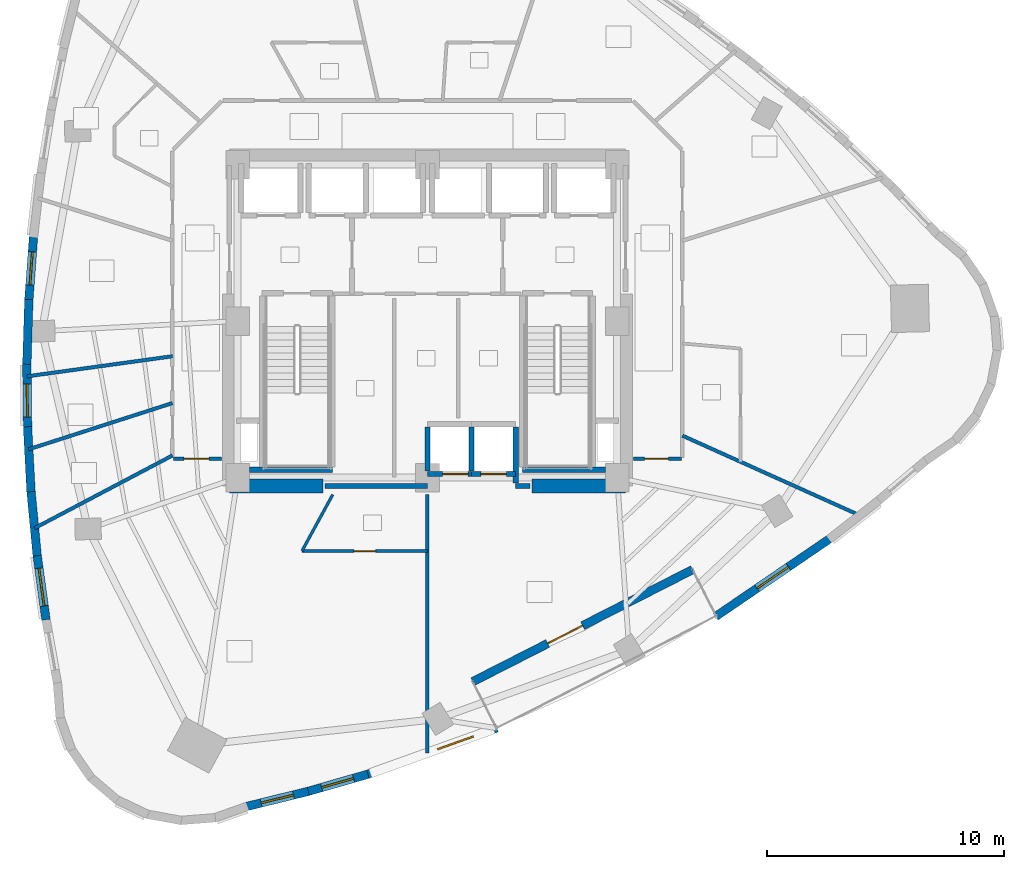
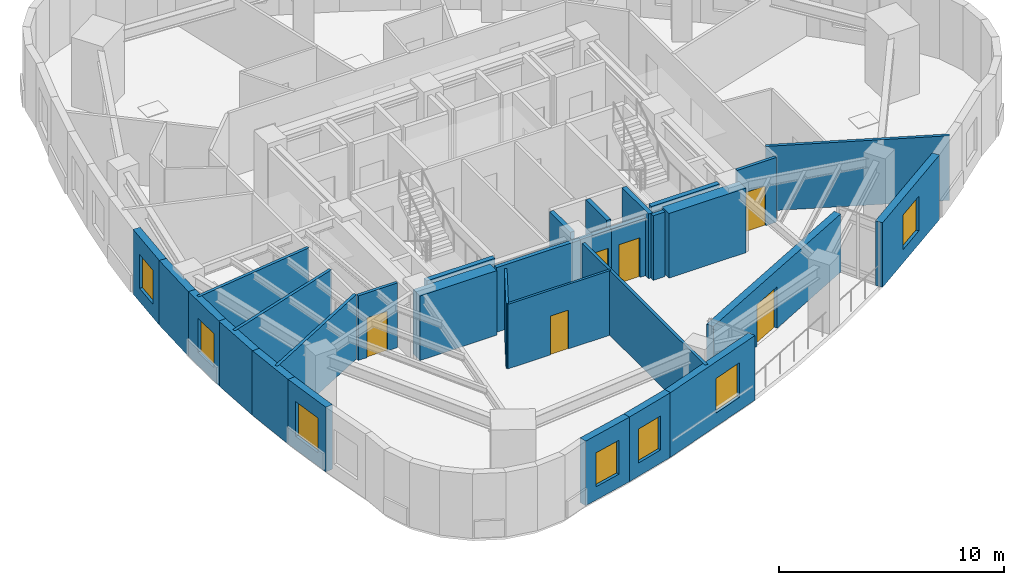
# One storey, part 5 of 11: 31 walls, 7 windows, 6 doors, 13 openings.
"""IFC4 building model written with IfcOpenShell, lengths in metres."""

from ifc_helpers import new_model, si_unit, direction, frame, frame_2d, origin, place, context, subcontext, project, spatial, rectangle, extrude, material, layer, layer_set, type_object, element, fill, save


model = new_model("IFC4")

# Units and contexts
model_context = context("Model", 3, precision=1e-05, world=origin(), true_north=direction((0.0, 1.0)))
body_context = subcontext(model_context, "Body", "Model", "MODEL_VIEW")
ifc_project = project(units=[si_unit("LENGTHUNIT", "METRE"), si_unit("AREAUNIT", "SQUARE_METRE"), si_unit("VOLUMEUNIT", "CUBIC_METRE"), si_unit("PLANEANGLEUNIT", "RADIAN"), si_unit("MASSUNIT", "GRAM", prefix="KILO")], contexts=[model_context])

# Site, building, storey
site_placement = place(None, origin())
site = spatial("IfcSite", under=ifc_project, at=site_placement, CompositionType="ELEMENT")
building_placement = place(site_placement, origin())
building = spatial("IfcBuilding", under=site, at=building_placement, Name="Ndelora Gate Hotel", CompositionType="ELEMENT")
storey_placement = place(building_placement, frame((0.0, 0.0, 116.0)))
storey = spatial("IfcBuildingStorey", under=building, at=storey_placement, Name="L28", CompositionType="ELEMENT", Elevation=116.0)

# Wall, opening, door
ifc_material_1 = material(Name="Clay Brick Masonry", Category="masonry")
ifc_layer_1 = layer(ifc_material_1, 0.360107421875)
ifc_layer_set_1 = layer_set([ifc_layer_1], Name="Clay Brick Masonry")
wall_type_1 = type_object("IfcWallType", Name="WL-BRICK-360", PredefinedType="SOLIDWALL", material=ifc_layer_set_1)
wall_1_placement = place(storey_placement, frame((11.177734375, -10.483642578125, 0.0), z_axis=(0.0, 0.0, 1.0), x_axis=(-0.891006889171, -0.453989783419, 0.0)))
wall_1 = element("IfcWall", 1, at=wall_1_placement, inside=storey, type_object=wall_type_1, Name="L28 Sky-Garden Loggia Rear Brick Wall", PredefinedType="SOLIDWALL", context=body_context, shape_type="SweptSolid", body=[
    extrude(rectangle(XDim=10.39990234375, YDim=0.360107421875, at=frame_2d((5.199951171875, 0.0))), origin(), (0.0, 0.0, 1.0), 3.14990234375),
])
opening_1_placement = place(wall_1_placement, frame((5.199951171875, 0.0, 0.0)))
opening_1 = element("IfcOpeningElement", 2, at=opening_1_placement, cuts=wall_1, Name="Opening TD1", PredefinedType="OPENING", context=body_context, shape_type="SweptSolid", body=[
    extrude(rectangle(XDim=1.64990234375, YDim=2.25, at=frame_2d((0.824951171875, 1.125))), frame((0.0, 0.18994140625, 0.0), z_axis=(0.0, -1.0, 0.0), x_axis=(1.0, 0.0, 0.0)), (0.0, 0.0, 1.0), 0.380126953125),
])
ifc_material_2 = material(Name="Architectural Bronze Glazed Door", Category="metal")
door_type_1 = type_object("IfcDoorType", Name="DR-TER-1650", OperationType="DOUBLE_DOOR_SINGLE_SWING", PredefinedType="DOOR", material=ifc_material_2)
door_1_placement = place(opening_1_placement, origin())
door_1 = element("IfcDoor", 3, at=door_1_placement, inside=storey, type_object=door_type_1, Name="L28 Sky-Garden Terrace Double Door TD1", OperationType="DOUBLE_DOOR_SINGLE_SWING", OverallHeight=2.25, OverallWidth=1.64990234375, PredefinedType="DOOR", context=body_context, shape_type="SweptSolid", body=[
    extrude(rectangle(XDim=1.64990234375, YDim=2.25, at=frame_2d((0.824951171875, 1.125))), frame((0.0, 0.02490234375, 0.0), z_axis=(0.0, -1.0, 0.0), x_axis=(1.0, 0.0, 0.0)), (0.0, 0.0, 1.0), 0.050048828125),
])
fill(opening_1, door_1)

# Wall, opening, window
wall_2_placement = place(storey_placement, frame((-16.808837890625, 0.85595703125, 0.0), z_axis=(0.0, 0.0, 1.0), x_axis=(0.07352900805, 0.997293078776, 0.0)))
wall_2 = element("IfcWall", 4, at=wall_2_placement, inside=storey, type_object=wall_type_1, Name="L28 Tower Brick Pier-and-Spandrel Wall TWR-14", PredefinedType="SOLIDWALL", context=body_context, shape_type="SweptSolid", body=[
    extrude(rectangle(XDim=2.729248046875, YDim=0.360107421875, at=frame_2d((1.36474609375, 0.0))), origin(), (0.0, 0.0, 1.0), 3.5),
])
opening_2_placement = place(wall_2_placement, frame((0.664794921875, 0.0, 0.719970703125)))
opening_2 = element("IfcOpeningElement", 5, at=opening_2_placement, cuts=wall_2, Name="Opening W02", PredefinedType="OPENING", context=body_context, shape_type="SweptSolid", body=[
    extrude(rectangle(XDim=1.39990234375, YDim=1.840087890625, at=frame_2d((0.699951171875, 0.919921875))), frame((0.0, 0.18994140625, 0.0), z_axis=(0.0, -1.0, 0.0), x_axis=(1.0, 0.0, 0.0)), (0.0, 0.0, 1.0), 0.380126953125),
])
ifc_material_3 = material(Name="Insulated Low-E Double Glazing in Bronze Aluminium Frame", Category="aluminium")
window_type_1 = type_object("IfcWindowType", Name="WN-DEEP-1400", PartitioningType="SINGLE_PANEL", PredefinedType="WINDOW", material=ifc_material_3)
window_1_placement = place(opening_2_placement, origin())
window_1 = element("IfcWindow", 6, at=window_1_placement, inside=storey, type_object=window_type_1, Name="L28 Deep-Set Brick-Pier Window W02", OverallHeight=1.840087890625, OverallWidth=1.39990234375, PartitioningType="SINGLE_PANEL", PredefinedType="WINDOW", context=body_context, shape_type="SweptSolid", body=[
    extrude(rectangle(XDim=1.39990234375, YDim=1.840087890625, at=frame_2d((0.699951171875, 0.919921875))), frame((0.0, 0.030029296875, 0.0), z_axis=(0.0, -1.0, 0.0), x_axis=(1.0, 0.0, 0.0)), (0.0, 0.0, 1.0), 0.06005859375),
])
fill(opening_2, window_1)

# Wall
wall_3_placement = place(storey_placement, frame((-16.89111328125, -1.822509765625, 0.0), z_axis=(0.0, 0.0, 1.0), x_axis=(0.031036495161, 0.999518251943, 0.0)))
element("IfcWall", 7, at=wall_3_placement, inside=storey, type_object=wall_type_1, Name="L28 Tower Brick Pier-and-Spandrel Wall TWR-15", PredefinedType="SOLIDWALL", context=body_context, shape_type="SweptSolid", body=[
    extrude(rectangle(XDim=2.7294921875, YDim=0.360107421875, at=frame_2d((1.36474609375, 0.0))), origin(), (0.0, 0.0, 1.0), 3.5),
])

# Wall, opening, window
wall_4_placement = place(storey_placement, frame((-16.859619140625, -4.506591796875, 0.0), z_axis=(0.0, 0.0, 1.0), x_axis=(-0.011339569117, 0.999935705019, 0.0)))
wall_4 = element("IfcWall", 8, at=wall_4_placement, inside=storey, type_object=wall_type_1, Name="L28 Tower Brick Pier-and-Spandrel Wall TWR-16", PredefinedType="SOLIDWALL", context=body_context, shape_type="SweptSolid", body=[
    extrude(rectangle(XDim=2.734375, YDim=0.360107421875, at=frame_2d((1.3671875, 0.0))), origin(), (0.0, 0.0, 1.0), 3.5),
])
opening_3_placement = place(wall_4_placement, frame((0.4599609375, 0.0, 0.719970703125)))
opening_3 = element("IfcOpeningElement", 9, at=opening_3_placement, cuts=wall_4, Name="Opening W02", PredefinedType="OPENING", context=body_context, shape_type="SweptSolid", body=[
    extrude(rectangle(XDim=1.39990234375, YDim=1.840087890625, at=frame_2d((0.699951171875, 0.919921875))), frame((0.0, 0.18994140625, 0.0), z_axis=(0.0, -1.0, 0.0), x_axis=(1.0, 0.0, 0.0)), (0.0, 0.0, 1.0), 0.380126953125),
])
window_2_placement = place(opening_3_placement, origin())
window_2 = element("IfcWindow", 10, at=window_2_placement, inside=storey, type_object=window_type_1, Name="L28 Deep-Set Brick-Pier Window W02", OverallHeight=1.840087890625, OverallWidth=1.39990234375, PartitioningType="SINGLE_PANEL", PredefinedType="WINDOW", context=body_context, shape_type="SweptSolid", body=[
    extrude(rectangle(XDim=1.39990234375, YDim=1.840087890625, at=frame_2d((0.699951171875, 0.919921875))), frame((0.0, 0.030029296875, 0.0), z_axis=(0.0, -1.0, 0.0), x_axis=(1.0, 0.0, 0.0)), (0.0, 0.0, 1.0), 0.06005859375),
])
fill(opening_3, window_2)

# Walls
wall_5_placement = place(storey_placement, frame((-16.714599609375, -7.19677734375, 0.0), z_axis=(0.0, 0.0, 1.0), x_axis=(-0.053474125499, 0.998569235407, 0.0)))
element("IfcWall", 11, at=wall_5_placement, inside=storey, type_object=wall_type_1, Name="L28 Tower Brick Pier-and-Spandrel Wall TWR-17", PredefinedType="SOLIDWALL", context=body_context, shape_type="SweptSolid", body=[
    extrude(rectangle(XDim=2.743896484375, YDim=0.360107421875, at=frame_2d((1.3720703125, 0.0))), origin(), (0.0, 0.0, 1.0), 3.5),
])
wall_6_placement = place(storey_placement, frame((-16.455810546875, -9.892822265625, 0.0), z_axis=(0.0, 0.0, 1.0), x_axis=(-0.095147411159, 0.99546319377, 0.0)))
element("IfcWall", 12, at=wall_6_placement, inside=storey, type_object=wall_type_1, Name="L28 Tower Brick Pier-and-Spandrel Wall TWR-18", PredefinedType="SOLIDWALL", context=body_context, shape_type="SweptSolid", body=[
    extrude(rectangle(XDim=2.75830078125, YDim=0.360107421875, at=frame_2d((1.379150390625, 0.0))), origin(), (0.0, 0.0, 1.0), 3.5),
])

# Wall, opening, window
wall_7_placement = place(storey_placement, frame((-16.0830078125, -12.594970703125, 0.0), z_axis=(0.0, 0.0, 1.0), x_axis=(-0.136238828404, 0.99067602254, 0.0)))
wall_7 = element("IfcWall", 13, at=wall_7_placement, inside=storey, type_object=wall_type_1, Name="L28 Tower Brick Pier-and-Spandrel Wall TWR-19", PredefinedType="SOLIDWALL", context=body_context, shape_type="SweptSolid", body=[
    extrude(rectangle(XDim=2.777587890625, YDim=0.360107421875, at=frame_2d((1.388671875, 0.0))), origin(), (0.0, 0.0, 1.0), 3.5),
])
opening_4_placement = place(wall_7_placement, frame((0.5888671875, 0.0, 0.719970703125)))
opening_4 = element("IfcOpeningElement", 14, at=opening_4_placement, cuts=wall_7, Name="Opening W01", PredefinedType="OPENING", context=body_context, shape_type="SweptSolid", body=[
    extrude(rectangle(XDim=1.60009765625, YDim=1.8798828125, at=frame_2d((0.800048828125, 0.93994140625))), frame((0.0, 0.18994140625, 0.0), z_axis=(0.0, -1.0, 0.0), x_axis=(1.0, 0.0, 0.0)), (0.0, 0.0, 1.0), 0.380126953125),
])
window_type_2 = type_object("IfcWindowType", Name="WN-DEEP-1600", PartitioningType="SINGLE_PANEL", PredefinedType="WINDOW", material=ifc_material_3)
window_3_placement = place(opening_4_placement, origin())
window_3 = element("IfcWindow", 15, at=window_3_placement, inside=storey, type_object=window_type_2, Name="L28 Deep-Set Brick-Pier Window W01", OverallHeight=1.8798828125, OverallWidth=1.60009765625, PartitioningType="SINGLE_PANEL", PredefinedType="WINDOW", context=body_context, shape_type="SweptSolid", body=[
    extrude(rectangle(XDim=1.60009765625, YDim=1.8798828125, at=frame_2d((0.800048828125, 0.93994140625))), frame((0.0, 0.030029296875, 0.0), z_axis=(0.0, -1.0, 0.0), x_axis=(1.0, 0.0, 0.0)), (0.0, 0.0, 1.0), 0.06005859375),
])
fill(opening_4, window_3)

wall_8_placement = place(storey_placement, frame((-5.02197265625, -19.830810546875, 0.0), z_axis=(0.0, 0.0, 1.0), x_axis=(-0.971174008504, -0.23837165353, 0.0)))
wall_8 = element("IfcWall", 16, at=wall_8_placement, inside=storey, type_object=wall_type_1, Name="L28 Tower Brick Pier-and-Spandrel Wall TWR-29", PredefinedType="SOLIDWALL", context=body_context, shape_type="SweptSolid", body=[
    extrude(rectangle(XDim=2.691650390625, YDim=0.360107421875, at=frame_2d((1.345703125, 0.0))), origin(), (0.0, 0.0, 1.0), 3.5),
])
opening_5_placement = place(wall_8_placement, frame((0.645751953125, 0.0, 0.719970703125)))
opening_5 = element("IfcOpeningElement", 17, at=opening_5_placement, cuts=wall_8, Name="Opening W02", PredefinedType="OPENING", context=body_context, shape_type="SweptSolid", body=[
    extrude(rectangle(XDim=1.39990234375, YDim=1.840087890625, at=frame_2d((0.699951171875, 0.919921875))), frame((0.0, 0.18994140625, 0.0), z_axis=(0.0, -1.0, 0.0), x_axis=(1.0, 0.0, 0.0)), (0.0, 0.0, 1.0), 0.380126953125),
])
window_4_placement = place(opening_5_placement, origin())
window_4 = element("IfcWindow", 18, at=window_4_placement, inside=storey, type_object=window_type_1, Name="L28 Deep-Set Brick-Pier Window W02", OverallHeight=1.840087890625, OverallWidth=1.39990234375, PartitioningType="SINGLE_PANEL", PredefinedType="WINDOW", context=body_context, shape_type="SweptSolid", body=[
    extrude(rectangle(XDim=1.39990234375, YDim=1.840087890625, at=frame_2d((0.699951171875, 0.919921875))), frame((0.0, 0.030029296875, 0.0), z_axis=(0.0, -1.0, 0.0), x_axis=(1.0, 0.0, 0.0)), (0.0, 0.0, 1.0), 0.06005859375),
])
fill(opening_5, window_4)

wall_9_placement = place(storey_placement, frame((-2.50439453125, -19.1064453125, 0.0), z_axis=(0.0, 0.0, 1.0), x_axis=(-0.961133025001, -0.276085690055, 0.0)))
wall_9 = element("IfcWall", 19, at=wall_9_placement, inside=storey, type_object=wall_type_1, Name="L28 Tower Brick Pier-and-Spandrel Wall TWR-30", PredefinedType="SOLIDWALL", context=body_context, shape_type="SweptSolid", body=[
    extrude(rectangle(XDim=2.669677734375, YDim=0.360107421875, at=frame_2d((1.3349609375, 0.0))), origin(), (0.0, 0.0, 1.0), 3.5),
])
opening_6_placement = place(wall_9_placement, frame((0.635009765625, 0.0, 0.719970703125)))
opening_6 = element("IfcOpeningElement", 20, at=opening_6_placement, cuts=wall_9, Name="Opening W02", PredefinedType="OPENING", context=body_context, shape_type="SweptSolid", body=[
    extrude(rectangle(XDim=1.39990234375, YDim=1.840087890625, at=frame_2d((0.699951171875, 0.919921875))), frame((0.0, 0.18994140625, 0.0), z_axis=(0.0, -1.0, 0.0), x_axis=(1.0, 0.0, 0.0)), (0.0, 0.0, 1.0), 0.380126953125),
])
window_5_placement = place(opening_6_placement, origin())
window_5 = element("IfcWindow", 21, at=window_5_placement, inside=storey, type_object=window_type_1, Name="L28 Deep-Set Brick-Pier Window W02", OverallHeight=1.840087890625, OverallWidth=1.39990234375, PartitioningType="SINGLE_PANEL", PredefinedType="WINDOW", context=body_context, shape_type="SweptSolid", body=[
    extrude(rectangle(XDim=1.39990234375, YDim=1.840087890625, at=frame_2d((0.699951171875, 0.919921875))), frame((0.0, 0.030029296875, 0.0), z_axis=(0.0, -1.0, 0.0), x_axis=(1.0, 0.0, 0.0)), (0.0, 0.0, 1.0), 0.06005859375),
])
fill(opening_6, window_5)

wall_10_placement = place(storey_placement, frame((2.93359375, -17.156982421875, 0.0), z_axis=(0.0, 0.0, 1.0), x_axis=(-0.941431533916, -0.337204191773, 0.0)))
wall_10 = element("IfcWall", 22, at=wall_10_placement, inside=storey, type_object=wall_type_1, Name="L28 Tower Brick Pier-and-Spandrel Wall TWR-31", PredefinedType="SOLIDWALL", context=body_context, shape_type="SweptSolid", body=[
    extrude(rectangle(XDim=5.826904296875, YDim=0.360107421875, at=frame_2d((2.91357421875, 0.0))), origin(), (0.0, 0.0, 1.0), 3.5),
])
opening_7_placement = place(wall_10_placement, frame((1.06005859375, 0.0, 0.719970703125)))
opening_7 = element("IfcOpeningElement", 23, at=opening_7_placement, cuts=wall_10, Name="Opening W01", PredefinedType="OPENING", context=body_context, shape_type="SweptSolid", body=[
    extrude(rectangle(XDim=1.60009765625, YDim=1.8798828125, at=frame_2d((0.800048828125, 0.93994140625))), frame((0.0, 0.18994140625, 0.0), z_axis=(0.0, -1.0, 0.0), x_axis=(1.0, 0.0, 0.0)), (0.0, 0.0, 1.0), 0.380126953125),
])
window_6_placement = place(opening_7_placement, origin())
window_6 = element("IfcWindow", 24, at=window_6_placement, inside=storey, type_object=window_type_2, Name="L28 Deep-Set Brick-Pier Window W01", OverallHeight=1.8798828125, OverallWidth=1.60009765625, PartitioningType="SINGLE_PANEL", PredefinedType="WINDOW", context=body_context, shape_type="SweptSolid", body=[
    extrude(rectangle(XDim=1.60009765625, YDim=1.8798828125, at=frame_2d((0.800048828125, 0.93994140625))), frame((0.0, 0.030029296875, 0.0), z_axis=(0.0, -1.0, 0.0), x_axis=(1.0, 0.0, 0.0)), (0.0, 0.0, 1.0), 0.06005859375),
])
fill(opening_7, window_6)

wall_11_placement = place(storey_placement, frame((16.969970703125, -9.1748046875, 0.0), z_axis=(0.0, 0.0, 1.0), x_axis=(-0.826151102753, -0.563448627134, 0.0)))
wall_11 = element("IfcWall", 25, at=wall_11_placement, inside=storey, type_object=wall_type_1, Name="L28 Tower Brick Pier-and-Spandrel Wall TWR-36", PredefinedType="SOLIDWALL", context=body_context, shape_type="SweptSolid", body=[
    extrude(rectangle(XDim=5.826904296875, YDim=0.360107421875, at=frame_2d((2.91357421875, 0.0))), origin(), (0.0, 0.0, 1.0), 3.5),
])
opening_8_placement = place(wall_11_placement, frame((2.11328125, 0.0, 0.719970703125)))
opening_8 = element("IfcOpeningElement", 26, at=opening_8_placement, cuts=wall_11, Name="Opening W01", PredefinedType="OPENING", context=body_context, shape_type="SweptSolid", body=[
    extrude(rectangle(XDim=1.60009765625, YDim=1.8798828125, at=frame_2d((0.800048828125, 0.93994140625))), frame((0.0, 0.18994140625, 0.0), z_axis=(0.0, -1.0, 0.0), x_axis=(1.0, 0.0, 0.0)), (0.0, 0.0, 1.0), 0.380126953125),
])
window_7_placement = place(opening_8_placement, origin())
window_7 = element("IfcWindow", 27, at=window_7_placement, inside=storey, type_object=window_type_2, Name="L28 Deep-Set Brick-Pier Window W01", OverallHeight=1.8798828125, OverallWidth=1.60009765625, PartitioningType="SINGLE_PANEL", PredefinedType="WINDOW", context=body_context, shape_type="SweptSolid", body=[
    extrude(rectangle(XDim=1.60009765625, YDim=1.8798828125, at=frame_2d((0.800048828125, 0.93994140625))), frame((0.0, 0.030029296875, 0.0), z_axis=(0.0, -1.0, 0.0), x_axis=(1.0, 0.0, 0.0)), (0.0, 0.0, 1.0), 0.06005859375),
])
fill(opening_8, window_7)

# Walls
ifc_material_4 = material(Name="Concrete C60/75", Category="concrete")
ifc_layer_2 = layer(ifc_material_4, 0.60009765625)
ifc_layer_set_2 = layer_set([ifc_layer_2], Name="Concrete C60/75")
wall_type_2 = type_object("IfcWallType", Name="WL-CORE-600", PredefinedType="SHEAR", material=ifc_layer_set_2)
for number, where, z_axis, x_axis, name in (
    (28, (-8.35009765625, -6.949951171875, 0.0), (0.0, 0.0, 1.0), (1.0, 0.0, 0.0), "L28 Core Shear Wall S-W"),
    (29, (4.39990234375, -6.949951171875, 0.0), (0.0, 0.0, 1.0), (1.0, 0.0, 0.0), "L28 Core Shear Wall S-E"),
):
    element("IfcWall", number, at=place(storey_placement, frame(where, z_axis=z_axis, x_axis=x_axis)), inside=storey, type_object=wall_type_2, Name=name, PredefinedType="SHEAR", context=body_context, shape_type="SweptSolid", body=[
        extrude(rectangle(XDim=3.9501953125, YDim=0.60009765625, at=frame_2d((1.97509765625, 0.0))), origin(), (0.0, 0.0, 1.0), 3.5),
    ])
ifc_material_5 = material(Name="Concrete C40/50", Category="concrete")
ifc_layer_3 = layer(ifc_material_5, 0.199951171875)
ifc_layer_set_3 = layer_set([ifc_layer_3], Name="Concrete C40/50")
wall_type_3 = type_object("IfcWallType", Name="WL-FIRE-200", PredefinedType="PARTITIONING", material=ifc_layer_set_3)
wall_12_placement = place(storey_placement, frame((-4.320068359375, -6.949951171875, 0.0), z_axis=(0.0, 0.0, 1.0), x_axis=(1.0, 0.0, 0.0)))
element("IfcWall", 30, at=wall_12_placement, inside=storey, type_object=wall_type_3, Name="L28 Interior Wall IW-2", PredefinedType="PARTITIONING", context=body_context, shape_type="SweptSolid", body=[
    extrude(rectangle(XDim=4.320068359375, YDim=0.199951171875, at=frame_2d((2.16015625, 0.0))), origin(), (0.0, 0.0, 1.0), 3.5),
])
wall_13_placement = place(storey_placement, frame((3.719970703125, -6.949951171875, 0.0), z_axis=(0.0, 0.0, 1.0), x_axis=(1.0, 0.0, 0.0)))
element("IfcWall", 31, at=wall_13_placement, inside=storey, type_object=wall_type_3, Name="L28 Interior Wall IW-2", PredefinedType="PARTITIONING", context=body_context, shape_type="SweptSolid", body=[
    extrude(rectangle(XDim=0.60009765625, YDim=0.199951171875, at=frame_2d((0.300048828125, 0.0))), origin(), (0.0, 0.0, 1.0), 3.5),
])

# Wall, opening, door
ifc_material_6 = material(Name="Fire-Rated Gypsum Stud Partition", Category="gypsum")
ifc_layer_4 = layer(ifc_material_6, 0.14990234375)
ifc_layer_set_4 = layer_set([ifc_layer_4], Name="Fire-Rated Gypsum Stud Partition")
wall_type_4 = type_object("IfcWallType", Name="WL-PART-150", PredefinedType="PARTITIONING", material=ifc_layer_set_4)
wall_14_placement = place(storey_placement, frame((-8.68994140625, -5.800048828125, 0.0), z_axis=(0.0, 0.0, 1.0), x_axis=(-1.0, 0.0, 0.0)))
wall_14 = element("IfcWall", 32, at=wall_14_placement, inside=storey, type_object=wall_type_4, Name="L28 Interior Wall IW-5", PredefinedType="PARTITIONING", context=body_context, shape_type="SweptSolid", body=[
    extrude(rectangle(XDim=2.02001953125, YDim=0.14990234375, at=frame_2d((1.010009765625, 0.0))), origin(), (0.0, 0.0, 1.0), 3.5),
])
opening_9_placement = place(wall_14_placement, frame((0.52001953125, 0.0, 0.0)))
opening_9 = element("IfcOpeningElement", 33, at=opening_9_placement, cuts=wall_14, Name="Opening D07", PredefinedType="OPENING", context=body_context, shape_type="SweptSolid", body=[
    extrude(rectangle(XDim=1.06005859375, YDim=2.14990234375, at=frame_2d((0.530029296875, 1.074951171875))), frame((0.0, 0.0849609375, 0.0), z_axis=(0.0, -1.0, 0.0), x_axis=(1.0, 0.0, 0.0)), (0.0, 0.0, 1.0), 0.169921875),
])
ifc_material_7 = material(Name="Diplomatic Suite Acoustic Entrance Door", Category="wood")
door_type_2 = type_object("IfcDoorType", Name="DR-SUITE-1060", OperationType="SINGLE_SWING_LEFT", PredefinedType="DOOR", material=ifc_material_7)
door_2_placement = place(opening_9_placement, origin())
door_2 = element("IfcDoor", 34, at=door_2_placement, inside=storey, type_object=door_type_2, Name="L28 Club Executive Suite 3101 Entrance Door", OperationType="SINGLE_SWING_RIGHT", OverallHeight=2.14990234375, OverallWidth=1.06005859375, PredefinedType="DOOR", context=body_context, shape_type="SweptSolid", body=[
    extrude(rectangle(XDim=1.06005859375, YDim=2.14990234375, at=frame_2d((0.530029296875, 1.074951171875))), frame((0.0, 0.02490234375, 0.0), z_axis=(0.0, -1.0, 0.0), x_axis=(1.0, 0.0, 0.0)), (0.0, 0.0, 1.0), 0.050048828125),
])
fill(opening_9, door_2)

wall_15_placement = place(storey_placement, frame((10.7099609375, -5.800048828125, 0.0), z_axis=(0.0, 0.0, 1.0), x_axis=(-1.0, 0.0, 0.0)))
wall_15 = element("IfcWall", 35, at=wall_15_placement, inside=storey, type_object=wall_type_4, Name="L28 Interior Wall IW-5", PredefinedType="PARTITIONING", context=body_context, shape_type="SweptSolid", body=[
    extrude(rectangle(XDim=2.02001953125, YDim=0.14990234375, at=frame_2d((1.010009765625, 0.0))), origin(), (0.0, 0.0, 1.0), 3.5),
])
opening_10_placement = place(wall_15_placement, frame((0.550048828125, 0.0, 0.0)))
opening_10 = element("IfcOpeningElement", 36, at=opening_10_placement, cuts=wall_15, Name="Opening D01", PredefinedType="OPENING", context=body_context, shape_type="SweptSolid", body=[
    extrude(rectangle(XDim=1.0, YDim=2.14990234375, at=frame_2d((0.5, 1.074951171875))), frame((0.0, 0.0849609375, 0.0), z_axis=(0.0, -1.0, 0.0), x_axis=(1.0, 0.0, 0.0)), (0.0, 0.0, 1.0), 0.169921875),
])
ifc_material_8 = material(Name="Acoustic Hardwood Guest Entrance Door", Category="wood")
door_type_3 = type_object("IfcDoorType", Name="DR-COR-1000", OperationType="SINGLE_SWING_LEFT", PredefinedType="DOOR", material=ifc_material_8)
door_3_placement = place(opening_10_placement, origin())
door_3 = element("IfcDoor", 37, at=door_3_placement, inside=storey, type_object=door_type_3, Name="L28 Sky Garden Tea Dining Room Entrance Door", OperationType="SINGLE_SWING_LEFT", OverallHeight=2.14990234375, OverallWidth=1.0, PredefinedType="DOOR", context=body_context, shape_type="SweptSolid", body=[
    extrude(rectangle(XDim=1.0, YDim=2.14990234375, at=frame_2d((0.5, 1.074951171875))), frame((0.0, 0.02490234375, 0.0), z_axis=(0.0, -1.0, 0.0), x_axis=(1.0, 0.0, 0.0)), (0.0, 0.0, 1.0), 0.050048828125),
])
fill(opening_10, door_3)

# Walls
wall_16_placement = place(storey_placement, frame((-10.75, -5.667724609375, 0.0), z_axis=(0.0, 0.0, 1.0), x_axis=(-0.88456520122, -0.466416557158, 0.0)))
element("IfcWall", 38, at=wall_16_placement, inside=storey, type_object=wall_type_4, Name="L28 Interior Wall IW-5", PredefinedType="PARTITIONING", context=body_context, shape_type="SweptSolid", body=[
    extrude(rectangle(XDim=6.575439453125, YDim=0.14990234375, at=frame_2d((3.28759765625, 0.0))), origin(), (0.0, 0.0, 1.0), 3.5),
])
wall_17_placement = place(storey_placement, frame((0.0, -7.320068359375, 0.0), z_axis=(0.0, 0.0, 1.0), x_axis=(0.0, -1.0, 0.0)))
element("IfcWall", 39, at=wall_17_placement, inside=storey, type_object=wall_type_4, Name="L28 Interior Wall IW-5", PredefinedType="PARTITIONING", context=body_context, shape_type="SweptSolid", body=[
    extrude(rectangle(XDim=10.8876953125, YDim=0.14990234375, at=frame_2d((5.44384765625, 0.0))), origin(), (0.0, 0.0, 1.0), 3.5),
])
wall_18_placement = place(storey_placement, frame((10.75, -4.831298828125, 0.0), z_axis=(0.0, 0.0, 1.0), x_axis=(0.912123674565, -0.409915115967, 0.0)))
element("IfcWall", 40, at=wall_18_placement, inside=storey, type_object=wall_type_4, Name="L28 Interior Wall IW-5", PredefinedType="PARTITIONING", context=body_context, shape_type="SweptSolid", body=[
    extrude(rectangle(XDim=8.19775390625, YDim=0.14990234375, at=frame_2d((4.098876953125, 0.0))), origin(), (0.0, 0.0, 1.0), 3.5),
])
wall_19_placement = place(storey_placement, frame((-10.75, -1.484619140625, 0.0), z_axis=(0.0, 0.0, 1.0), x_axis=(-0.990603271239, -0.136766805219, 0.0)))
element("IfcWall", 41, at=wall_19_placement, inside=storey, type_object=wall_type_4, Name="L28 Interior Wall IW-5", PredefinedType="PARTITIONING", context=body_context, shape_type="SweptSolid", body=[
    extrude(rectangle(XDim=6.1923828125, YDim=0.14990234375, at=frame_2d((3.09619140625, 0.0))), origin(), (0.0, 0.0, 1.0), 3.5),
])
wall_20_placement = place(storey_placement, frame((-10.75, -3.4580078125, 0.0), z_axis=(0.0, 0.0, 1.0), x_axis=(-0.951970686229, -0.306189177732, 0.0)))
element("IfcWall", 42, at=wall_20_placement, inside=storey, type_object=wall_type_4, Name="L28 Interior Wall IW-5", PredefinedType="PARTITIONING", context=body_context, shape_type="SweptSolid", body=[
    extrude(rectangle(XDim=6.365966796875, YDim=0.14990234375, at=frame_2d((3.18310546875, 0.0))), origin(), (0.0, 0.0, 1.0), 3.5),
])

# Wall, opening, door
ifc_layer_5 = layer(ifc_material_5, 0.219970703125)
ifc_layer_set_5 = layer_set([ifc_layer_5], Name="Concrete C40/50")
wall_type_5 = type_object("IfcWallType", Name="WL-SHAFT-220", PredefinedType="PARTITIONING", material=ifc_layer_set_5)
wall_21_placement = place(storey_placement, frame((0.0, -6.449951171875, 0.0), z_axis=(0.0, 0.0, 1.0), x_axis=(1.0, 0.0, 0.0)))
wall_21 = element("IfcWall", 43, at=wall_21_placement, inside=storey, type_object=wall_type_5, Name="L28 Interior Wall IW-1", PredefinedType="PARTITIONING", context=body_context, shape_type="SweptSolid", body=[
    extrude(rectangle(XDim=1.860107421875, YDim=0.219970703125, at=frame_2d((0.93017578125, 0.0))), origin(), (0.0, 0.0, 1.0), 3.1201171875),
])
opening_11_placement = place(wall_21_placement, frame((0.639892578125, 0.0, 0.0)))
opening_11 = element("IfcOpeningElement", 44, at=opening_11_placement, cuts=wall_21, Name="Opening LD2", PredefinedType="OPENING", context=body_context, shape_type="SweptSolid", body=[
    extrude(rectangle(XDim=1.080078125, YDim=2.14990234375, at=frame_2d((0.5400390625, 1.074951171875))), frame((0.0, 0.1201171875, 0.0), z_axis=(0.0, -1.0, 0.0), x_axis=(1.0, 0.0, 0.0)), (0.0, 0.0, 1.0), 0.239990234375),
])
ifc_material_9 = material(Name="Brushed Bronze Stainless Lift Landing Door", Category="metal")
door_type_4 = type_object("IfcDoorType", Name="DR-LD2", OperationType="DOUBLE_DOOR_SLIDING", PredefinedType="DOOR", material=ifc_material_9)
door_4_placement = place(opening_11_placement, origin())
door_4 = element("IfcDoor", 45, at=door_4_placement, inside=storey, type_object=door_type_4, Name="L28 Lift Landing Sliding Door P2A", OperationType="DOUBLE_DOOR_SLIDING", OverallHeight=2.14990234375, OverallWidth=1.080078125, PredefinedType="DOOR", context=body_context, shape_type="SweptSolid", body=[
    extrude(rectangle(XDim=1.080078125, YDim=2.14990234375, at=frame_2d((0.5400390625, 1.074951171875))), frame((0.0, 0.02490234375, 0.0), z_axis=(0.0, -1.0, 0.0), x_axis=(1.0, 0.0, 0.0)), (0.0, 0.0, 1.0), 0.050048828125),
])
fill(opening_11, door_4)

# Walls
for number, where, z_axis, x_axis, name in (
    (46, (0.0, -6.330078125, 0.0), (0.0, 0.0, 1.0), (0.0, 1.0, 0.0), "L28 Interior Wall IW-1"),
    (47, (1.860107421875, -6.330078125, 0.0), (0.0, 0.0, 1.0), (0.0, 1.0, 0.0), "L28 Interior Wall IW-1"),
):
    element("IfcWall", number, at=place(storey_placement, frame(where, z_axis=z_axis, x_axis=x_axis)), inside=storey, type_object=wall_type_5, Name=name, PredefinedType="PARTITIONING", context=body_context, shape_type="SweptSolid", body=[
        extrude(rectangle(XDim=1.860107421875, YDim=0.219970703125, at=frame_2d((0.93017578125, 0.0))), origin(), (0.0, 0.0, 1.0), 3.5),
    ])

# Wall, opening, door
wall_22_placement = place(storey_placement, frame((1.860107421875, -6.449951171875, 0.0), z_axis=(0.0, 0.0, 1.0), x_axis=(1.0, 0.0, 0.0)))
wall_22 = element("IfcWall", 48, at=wall_22_placement, inside=storey, type_object=wall_type_5, Name="L28 Interior Wall IW-1", PredefinedType="PARTITIONING", context=body_context, shape_type="SweptSolid", body=[
    extrude(rectangle(XDim=1.85986328125, YDim=0.219970703125, at=frame_2d((0.929931640625, 0.0))), origin(), (0.0, 0.0, 1.0), 3.1201171875),
])
opening_12_placement = place(wall_22_placement, frame((0.389892578125, 0.0, 0.0)))
opening_12 = element("IfcOpeningElement", 49, at=opening_12_placement, cuts=wall_22, Name="Opening LD2", PredefinedType="OPENING", context=body_context, shape_type="SweptSolid", body=[
    extrude(rectangle(XDim=1.080078125, YDim=2.14990234375, at=frame_2d((0.5400390625, 1.074951171875))), frame((0.0, 0.1201171875, 0.0), z_axis=(0.0, -1.0, 0.0), x_axis=(1.0, 0.0, 0.0)), (0.0, 0.0, 1.0), 0.239990234375),
])
door_5_placement = place(opening_12_placement, origin())
door_5 = element("IfcDoor", 50, at=door_5_placement, inside=storey, type_object=door_type_4, Name="L28 Lift Landing Sliding Door P2B", OperationType="DOUBLE_DOOR_SLIDING", OverallHeight=2.14990234375, OverallWidth=1.080078125, PredefinedType="DOOR", context=body_context, shape_type="SweptSolid", body=[
    extrude(rectangle(XDim=1.080078125, YDim=2.14990234375, at=frame_2d((0.5400390625, 1.074951171875))), frame((0.0, 0.02490234375, 0.0), z_axis=(0.0, -1.0, 0.0), x_axis=(1.0, 0.0, 0.0)), (0.0, 0.0, 1.0), 0.050048828125),
])
fill(opening_12, door_5)

# Walls
wall_23_placement = place(storey_placement, frame((3.719970703125, -6.830078125, 0.0), z_axis=(0.0, 0.0, 1.0), x_axis=(0.0, 1.0, 0.0)))
element("IfcWall", 51, at=wall_23_placement, inside=storey, type_object=wall_type_5, Name="L28 Interior Wall IW-1", PredefinedType="PARTITIONING", context=body_context, shape_type="SweptSolid", body=[
    extrude(rectangle(XDim=2.360107421875, YDim=0.219970703125, at=frame_2d((1.18017578125, 0.0))), origin(), (0.0, 0.0, 1.0), 3.5),
])
ifc_material_10 = material(Name="Concrete C50/60", Category="concrete")
ifc_layer_6 = layer(ifc_material_10, 0.239990234375)
ifc_layer_set_6 = layer_set([ifc_layer_6], Name="Concrete C50/60")
wall_type_6 = type_object("IfcWallType", Name="WL-STAIR-240", PredefinedType="SHEAR", material=ifc_layer_set_6)
for number, where, z_axis, x_axis, name in (
    (52, (-7.5, -6.27001953125, 0.0), (0.0, 0.0, 1.0), (1.0, 0.0, 0.0), "L28 Stair Core Shear Wall SW-ST"),
    (53, (4.010009765625, -6.27001953125, 0.0), (0.0, 0.0, 1.0), (1.0, 0.0, 0.0), "L28 Stair Core Shear Wall SW-ST"),
):
    element("IfcWall", number, at=place(storey_placement, frame(where, z_axis=z_axis, x_axis=x_axis)), inside=storey, type_object=wall_type_6, Name=name, PredefinedType="SHEAR", context=body_context, shape_type="SweptSolid", body=[
        extrude(rectangle(XDim=3.489990234375, YDim=0.239990234375, at=frame_2d((1.7451171875, 0.0))), origin(), (0.0, 0.0, 1.0), 3.5),
    ])

# Wall, opening, door
ifc_material_11 = material(Name="Moisture-Resistant Bathroom Tile Partition", Category="gypsum")
ifc_layer_7 = layer(ifc_material_11, 0.1201171875)
ifc_layer_set_7 = layer_set([ifc_layer_7], Name="Moisture-Resistant Bathroom Tile Partition")
wall_type_7 = type_object("IfcWallType", Name="WL-WET-120", PredefinedType="PARTITIONING", material=ifc_layer_set_7)
wall_24_placement = place(storey_placement, frame((0.0, -9.699951171875, 0.0), z_axis=(0.0, 0.0, 1.0), x_axis=(-1.0, 0.0, 0.0)))
wall_24 = element("IfcWall", 54, at=wall_24_placement, inside=storey, type_object=wall_type_7, Name="L28 Interior Wall IW-7", PredefinedType="PARTITIONING", context=body_context, shape_type="SweptSolid", body=[
    extrude(rectangle(XDim=5.291259765625, YDim=0.1201171875, at=frame_2d((2.6455078125, 0.0))), origin(), (0.0, 0.0, 1.0), 3.5),
])
opening_13_placement = place(wall_24_placement, frame((2.185546875, 0.0, 0.0)))
opening_13 = element("IfcOpeningElement", 55, at=opening_13_placement, cuts=wall_24, Name="Opening D03", PredefinedType="OPENING", context=body_context, shape_type="SweptSolid", body=[
    extrude(rectangle(XDim=0.919921875, YDim=2.10009765625, at=frame_2d((0.4599609375, 1.050048828125))), frame((0.0, 0.070068359375, 0.0), z_axis=(0.0, -1.0, 0.0), x_axis=(1.0, 0.0, 0.0)), (0.0, 0.0, 1.0), 0.14013671875),
])
ifc_material_12 = material(Name="Moisture-Resistant Hardwood En-Suite Door", Category="wood")
door_type_5 = type_object("IfcDoorType", Name="DR-BATH-920", OperationType="SINGLE_SWING_LEFT", PredefinedType="DOOR", material=ifc_material_12)
door_6_placement = place(opening_13_placement, origin())
door_6 = element("IfcDoor", 56, at=door_6_placement, inside=storey, type_object=door_type_5, Name="L28 En-suite Bathroom 3101 Door", OperationType="SINGLE_SWING_RIGHT", OverallHeight=2.10009765625, OverallWidth=0.919921875, PredefinedType="DOOR", context=body_context, shape_type="SweptSolid", body=[
    extrude(rectangle(XDim=0.919921875, YDim=2.10009765625, at=frame_2d((0.4599609375, 1.050048828125))), frame((0.0, 0.02490234375, 0.0), z_axis=(0.0, -1.0, 0.0), x_axis=(1.0, 0.0, 0.0)), (0.0, 0.0, 1.0), 0.050048828125),
])
fill(opening_13, door_6)

# Wall
wall_25_placement = place(storey_placement, frame((-5.291259765625, -9.699951171875, 0.0), z_axis=(0.0, 0.0, 1.0), x_axis=(0.478915225664, 0.877861154527, 0.0)))
element("IfcWall", 57, at=wall_25_placement, inside=storey, type_object=wall_type_7, Name="L28 Interior Wall IW-7", PredefinedType="PARTITIONING", context=body_context, shape_type="SweptSolid", body=[
    extrude(rectangle(XDim=2.7109375, YDim=0.1201171875, at=frame_2d((1.35546875, 0.0))), origin(), (0.0, 0.0, 1.0), 3.5),
])

save(model, "model.ifc")
